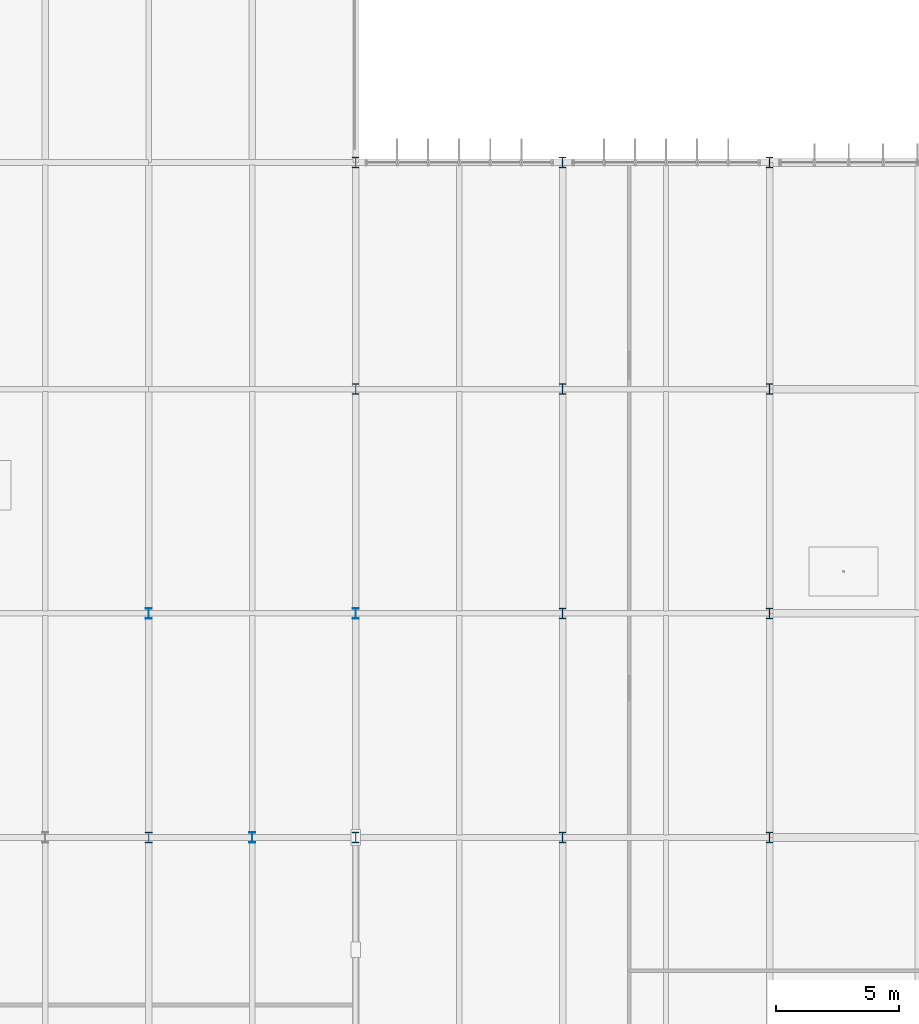
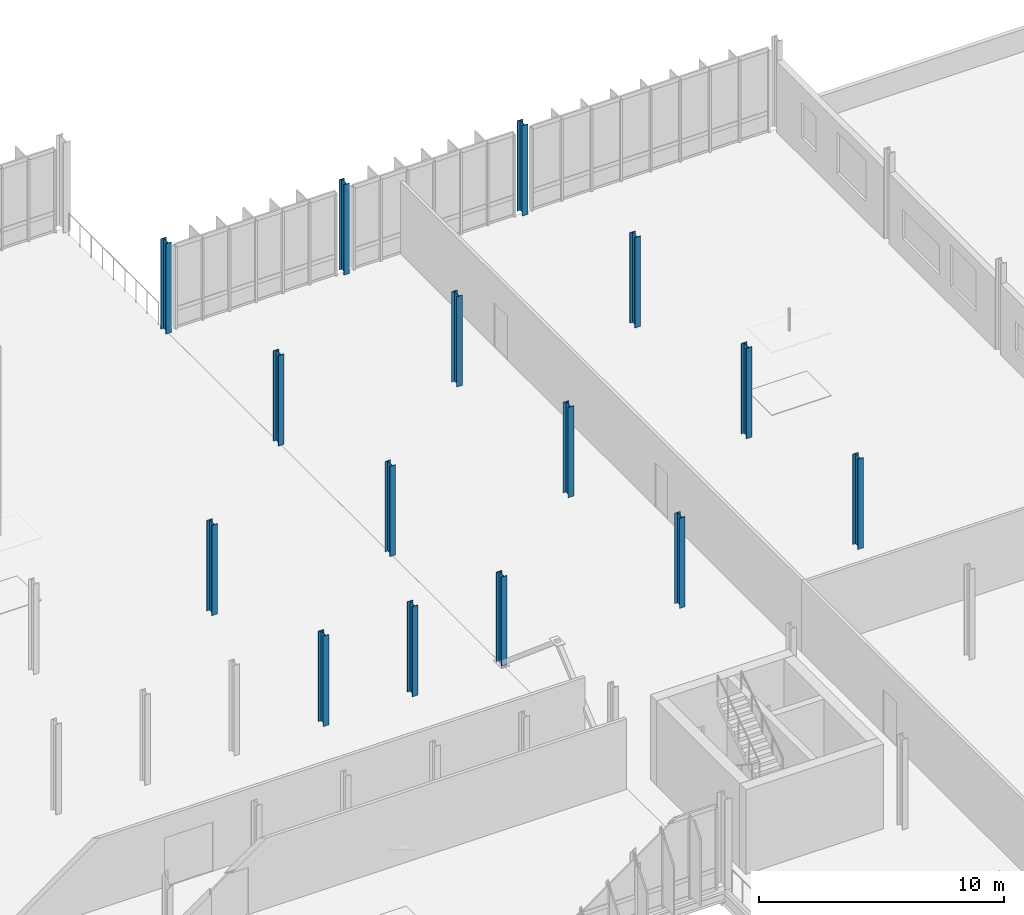
# One storey, part 16 of 139: 15 columns.
"""IFC4 building model written with IfcOpenShell, lengths in metres."""

from ifc_helpers import new_model, si_unit, derived_unit, direction, frame, origin, origin_2d, place, context, subcontext, project, spatial, i_section, extrude, material, material_profile, profile_set, type_object, element, save


model = new_model("IFC4")

# Units and contexts
model_context = context("Model", 3, precision=1e-05, world=origin(), true_north=direction((0.0, 1.0)))
body_context = subcontext(model_context, "Body", "Model", "MODEL_VIEW")
ifc_project = project(units=[si_unit("LENGTHUNIT", "METRE"), si_unit("AREAUNIT", "SQUARE_METRE"), si_unit("VOLUMEUNIT", "CUBIC_METRE"), si_unit("PLANEANGLEUNIT", "RADIAN"), si_unit("MASSUNIT", "GRAM", prefix="KILO"), derived_unit("THERMALTRANSMITTANCEUNIT", [(si_unit("MASSUNIT", "GRAM", prefix="KILO"), 1), (si_unit("TIMEUNIT", "SECOND"), -3), (si_unit("THERMODYNAMICTEMPERATUREUNIT", "KELVIN"), -1)])], contexts=[model_context])

# Site, building, storey
site_placement = place(None, origin())
site = spatial("IfcSite", under=ifc_project, at=site_placement, CompositionType="ELEMENT")
building_placement = place(site_placement, origin())
building = spatial("IfcBuilding", under=site, at=building_placement, Name="Makaiwela Harbour Ferry Terminal", CompositionType="ELEMENT")
storey_placement = place(building_placement, frame((0.0, 0.0, 5.10009765625)))
storey = spatial("IfcBuildingStorey", under=building, at=storey_placement, Name="L01", CompositionType="ELEMENT", Elevation=5.10009765625)

# Columns
ifc_material = material(Name="Steel ASTM A992 Grade 50", Category="steel")
ifc_material_profile_1 = material_profile(ifc_material, i_section(OverallWidth=0.264892578125, OverallDepth=0.430908203125, WebThickness=0.014892578125, FlangeThickness=0.02490234375, at=origin_2d()), Name="W16X100")
ifc_profile_set_1 = profile_set([ifc_material_profile_1], Name="Steel ASTM A992 Grade 50")
column_type_1 = type_object("IfcColumnType", Name="STR-COL-W16X100", PredefinedType="COLUMN", material=ifc_profile_set_1)
for number, where, z_axis, x_axis, name in (
    (1, (130.199951171875, 67.60009765625, 0.0), (0.0, 0.0, 1.0), (1.0, 0.0, 0.0), "Structural Column C-03"),
    (2, (138.60009765625, 67.60009765625, 0.0), (0.0, 0.0, 1.0), (1.0, 0.0, 0.0), "Structural Column C-03"),
    (3, (138.60009765625, 85.800048828125, 0.0), (0.0, 0.0, 1.0), (1.0, 0.0, 0.0), "Structural Column C-03"),
    (4, (138.60009765625, 95.0, 0.0), (0.0, 0.0, 1.0), (1.0, 0.0, 0.0), "Structural Column C-03"),
    (5, (147.0, 67.60009765625, 0.0), (0.0, 0.0, 1.0), (1.0, 0.0, 0.0), "Structural Column C-03"),
    (6, (147.0, 76.699951171875, 0.0), (0.0, 0.0, 1.0), (1.0, 0.0, 0.0), "Structural Column C-03"),
    (7, (147.0, 85.800048828125, 0.0), (0.0, 0.0, 1.0), (1.0, 0.0, 0.0), "Structural Column C-03"),
    (8, (147.0, 95.0, 0.0), (0.0, 0.0, 1.0), (1.0, 0.0, 0.0), "Structural Column C-03"),
    (9, (155.39990234375, 67.60009765625, 0.0), (0.0, 0.0, 1.0), (1.0, 0.0, 0.0), "Structural Column C-03"),
    (10, (155.39990234375, 76.699951171875, 0.0), (0.0, 0.0, 1.0), (1.0, 0.0, 0.0), "Structural Column C-03"),
    (11, (155.39990234375, 85.800048828125, 0.0), (0.0, 0.0, 1.0), (1.0, 0.0, 0.0), "Structural Column C-03"),
    (12, (155.39990234375, 95.0, 0.0), (0.0, 0.0, 1.0), (1.0, 0.0, 0.0), "Structural Column C-03"),
):
    element("IfcColumn", number, at=place(storey_placement, frame(where, z_axis=z_axis, x_axis=x_axis)), inside=storey, type_object=column_type_1, Name=name, PredefinedType="COLUMN", context=body_context, shape_type="SweptSolid", body=[
        extrude(i_section(OverallWidth=0.264892578125, OverallDepth=0.430908203125, WebThickness=0.014892578125, FlangeThickness=0.02490234375, at=origin_2d()), origin(), (0.0, 0.0, 1.0), 4.5),
    ])
ifc_material_profile_2 = material_profile(ifc_material, i_section(OverallWidth=0.260986328125, OverallDepth=0.4189453125, WebThickness=0.01171875, FlangeThickness=0.019287109375, at=origin_2d()), Name="W16X77")
ifc_profile_set_2 = profile_set([ifc_material_profile_2], Name="Steel ASTM A992 Grade 50")
column_type_2 = type_object("IfcColumnType", Name="STR-COL-W16X77", PredefinedType="COLUMN", material=ifc_profile_set_2)
for number, where, z_axis, x_axis, name in (
    (13, (130.199951171875, 76.699951171875, 0.0), (0.0, 0.0, 1.0), (1.0, 0.0, 0.0), "Structural Column C-04"),
    (14, (138.60009765625, 76.699951171875, 0.0), (0.0, 0.0, 1.0), (1.0, 0.0, 0.0), "Structural Column C-04"),
    (15, (134.39990234375, 67.60009765625, 0.0), (0.0, 0.0, 1.0), (1.0, 0.0, 0.0), "Structural Column C-04"),
):
    element("IfcColumn", number, at=place(storey_placement, frame(where, z_axis=z_axis, x_axis=x_axis)), inside=storey, type_object=column_type_2, Name=name, PredefinedType="COLUMN", context=body_context, shape_type="SweptSolid", body=[
        extrude(i_section(OverallWidth=0.260986328125, OverallDepth=0.4189453125, WebThickness=0.01171875, FlangeThickness=0.019287109375, at=origin_2d()), origin(), (0.0, 0.0, 1.0), 4.5),
    ])

save(model, "model.ifc")
